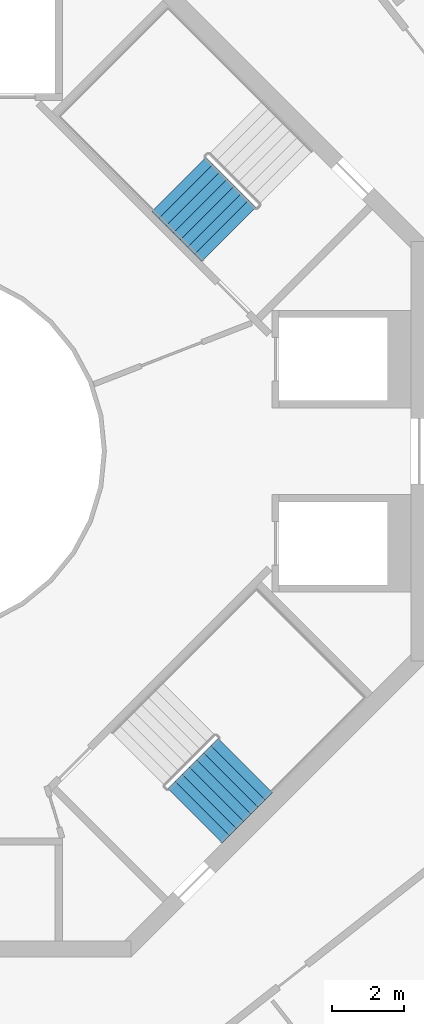
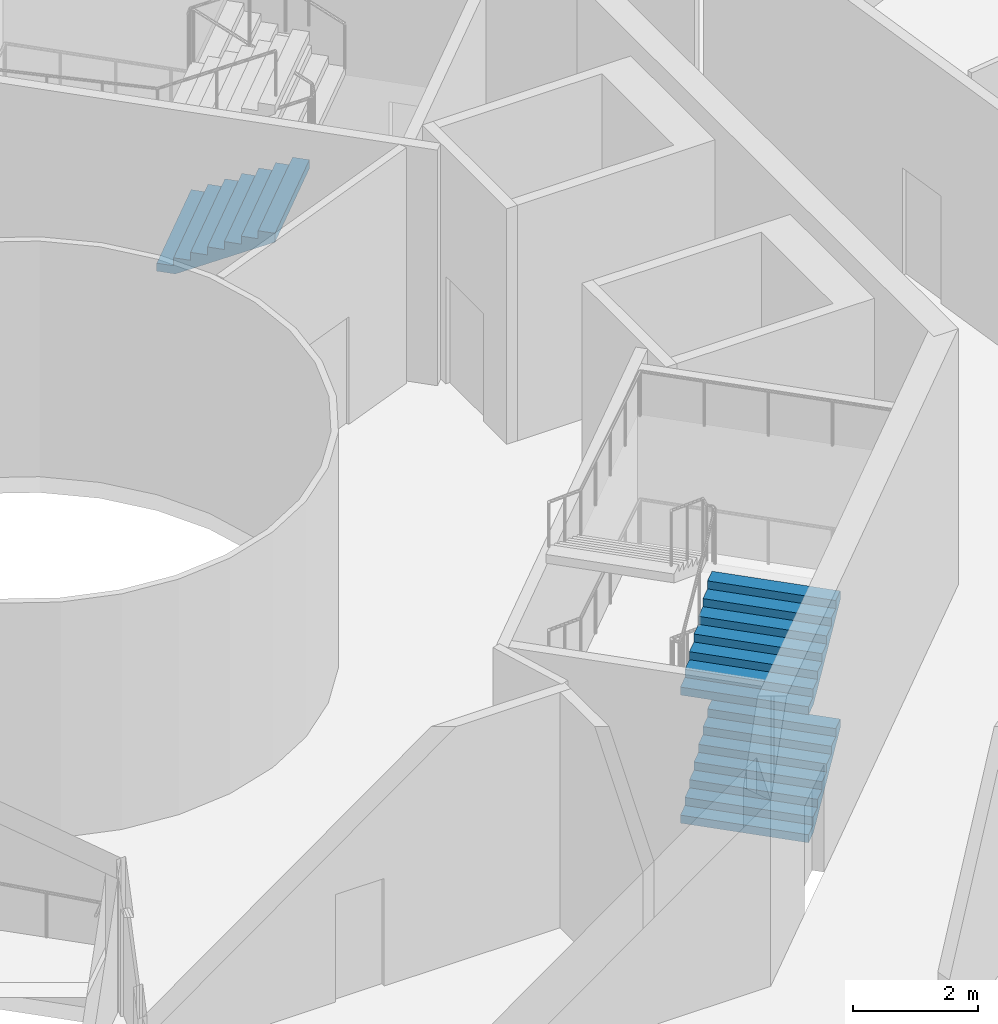
# One storey, part 16 of 19: 3 stair flights, 2 elements without a shape of their own.
"""IFC4 building model written with IfcOpenShell, lengths in metres."""

from ifc_helpers import new_model, si_unit, direction, frame, origin, place, context, subcontext, project, spatial, triangles, material, type_object, element, aggregate, save


model = new_model("IFC4")

# Units and contexts
model_context = context("Model", 3, precision=1e-05, world=origin(), true_north=direction((0.0, 1.0)))
body_context = subcontext(model_context, "Body", "Model", "MODEL_VIEW")
ifc_project = project(units=[si_unit("LENGTHUNIT", "METRE"), si_unit("AREAUNIT", "SQUARE_METRE"), si_unit("VOLUMEUNIT", "CUBIC_METRE"), si_unit("PLANEANGLEUNIT", "RADIAN"), si_unit("MASSUNIT", "GRAM", prefix="KILO")], contexts=[model_context])

# Site, building, storey
site_placement = place(None, origin())
site = spatial("IfcSite", under=ifc_project, at=site_placement, CompositionType="ELEMENT")
building_placement = place(site_placement, origin())
building = spatial("IfcBuilding", under=site, at=building_placement, Name="Verdalira Terraces Hotel", CompositionType="ELEMENT")
storey_placement = place(building_placement, frame((0.0, 0.0, 310.0)))
storey = spatial("IfcBuildingStorey", under=building, at=storey_placement, Name="L77", CompositionType="ELEMENT", Elevation=310.0)

# Stair, stair flight
ifc_material_1 = material(Name="Concrete C40", Category="concrete")
stair_type = type_object("IfcStairType", Name="Core stair 32 risers 2125 mm wide", PredefinedType="HALF_TURN_STAIR", material=ifc_material_1)
stair_1_placement = place(storey_placement, origin())
stair_1 = element("IfcStair", 1, at=stair_1_placement, inside=storey, type_object=stair_type, Name="L77 Exit stair ST1", PredefinedType="HALF_TURN_STAIR")
ifc_material_2 = material(Name="Concrete C40", Category="concrete")
stair_flight_type = type_object("IfcStairFlightType", Name="Core stair flight 32 risers 2125 mm wide", PredefinedType="STRAIGHT", material=ifc_material_2)
stair_flight_1_placement = place(storey_placement, frame((7.125977, 7.387451, 1.25), z_axis=(0.0, 0.0, 1.0), x_axis=(0.707106781, -0.707106781, 0.0)))
stair_flight_1 = element("IfcStairFlight", 2, at=stair_flight_1_placement, type_object=stair_flight_type, Name="ST1 flight 2", NumberOfRisers=8, NumberOfTreads=7, PredefinedType="STRAIGHT", RiserHeight=0.15625, TreadLength=0.28, context=body_context, shape_type="Tessellation", body=[
    triangles([(0.0, 1.0625, 0.0), (0.307617, 1.0625, 0.0), (1.959961, 1.0625, 0.922119), (0.0, -1.0625, 0.0), (0.307617, -1.0625, 0.0), (1.959961, -1.0625, 0.922119), (1.959961, 1.0625, 1.09375), (1.679932, 1.0625, 1.09375), (1.959961, -1.0625, 1.09375), (1.679932, -1.0625, 1.09375), (1.679932, 1.0625, 0.9375), (1.679932, -1.0625, 0.9375), (1.399902, 1.0625, 0.9375), (1.399902, -1.0625, 0.9375), (1.399902, 1.0625, 0.78125), (1.399902, -1.0625, 0.78125), (1.120117, 1.0625, 0.78125), (1.120117, 1.0625, 0.625), (1.120117, -1.0625, 0.78125), (1.120117, -1.0625, 0.625), (0.840088, 1.0625, 0.625), (0.840088, 1.0625, 0.46875), (0.840088, -1.0625, 0.625), (0.840088, -1.0625, 0.46875), (0.560059, 1.0625, 0.46875), (0.560059, 1.0625, 0.3125), (0.560059, -1.0625, 0.46875), (0.560059, -1.0625, 0.3125), (0.280029, 1.0625, 0.3125), (0.280029, 1.0625, 0.15625), (0.280029, -1.0625, 0.3125), (0.280029, -1.0625, 0.15625), (0.0, 1.0625, 0.15625), (0.0, -1.0625, 0.15625), (0.0, -0.996094, 0.0), (0.0, -0.996094, 0.15625), (0.0, -0.929688, 0.0), (0.0, -0.929688, 0.15625), (0.0, -0.863281, 0.0), (0.0, -0.863281, 0.15625), (0.0, -0.796875, 0.0), (0.0, -0.796875, 0.15625), (0.0, -0.730469, 0.0), (0.0, -0.730469, 0.15625), (0.0, -0.664062, 0.0), (0.0, -0.664062, 0.15625), (0.0, -0.597656, 0.0), (0.0, -0.597656, 0.15625), (0.0, -0.53125, 0.0), (0.0, -0.53125, 0.15625), (0.0, -0.464844, 0.0), (0.0, -0.464844, 0.15625), (0.0, -0.398438, 0.0), (0.0, -0.398438, 0.15625), (0.0, -0.332031, 0.0), (0.0, -0.332031, 0.15625), (0.0, -0.265625, 0.0), (0.0, -0.265625, 0.15625), (0.0, -0.199219, 0.0), (0.0, -0.199219, 0.15625), (0.0, -0.132812, 0.0), (0.0, -0.132812, 0.15625), (0.0, -0.066406, 0.0), (0.0, -0.066406, 0.15625), (0.0, 0.0, 0.0), (0.0, 0.0, 0.15625), (0.0, 0.066406, 0.0), (0.0, 0.066406, 0.15625), (0.0, 0.132812, 0.0), (0.0, 0.132812, 0.15625), (0.0, 0.199219, 0.0), (0.0, 0.199219, 0.15625), (0.0, 0.265625, 0.0), (0.0, 0.265625, 0.15625), (0.0, 0.332031, 0.0), (0.0, 0.332031, 0.15625), (0.0, 0.398438, 0.0), (0.0, 0.398438, 0.15625), (0.0, 0.464844, 0.0), (0.0, 0.464844, 0.15625), (0.0, 0.53125, 0.0), (0.0, 0.53125, 0.15625), (0.0, 0.597656, 0.0), (0.0, 0.597656, 0.15625), (0.0, 0.664062, 0.0), (0.0, 0.664062, 0.15625), (0.0, 0.730469, 0.0), (0.0, 0.730469, 0.15625), (0.0, 0.796875, 0.0), (0.0, 0.796875, 0.15625), (0.0, 0.863281, 0.0), (0.0, 0.863281, 0.15625), (0.0, 0.929688, 0.0), (0.0, 0.929688, 0.15625), (0.0, 0.996094, 0.0), (0.0, 0.996094, 0.15625), (1.959961, -0.996094, 1.09375), (1.959961, -0.929688, 1.09375), (1.959961, -0.863281, 1.09375), (1.959961, -0.796875, 1.09375), (1.959961, -0.730469, 1.09375), (1.959961, -0.664062, 1.09375), (1.959961, -0.597656, 1.09375), (1.959961, -0.53125, 1.09375), (1.959961, -0.464844, 1.09375), (1.959961, -0.398438, 1.09375), (1.959961, -0.332031, 1.09375), (1.959961, -0.265625, 1.09375), (1.959961, -0.199219, 1.09375), (1.959961, -0.132812, 1.09375), (1.959961, -0.066406, 1.09375), (1.959961, 0.0, 1.09375), (1.959961, 0.066406, 1.09375), (1.959961, 0.132812, 1.09375), (1.959961, 0.199219, 1.09375), (1.959961, 0.265625, 1.09375), (1.959961, 0.332031, 1.09375), (1.959961, 0.398438, 1.09375), (1.959961, 0.464844, 1.09375), (1.959961, 0.53125, 1.09375), (1.959961, 0.597656, 1.09375), (1.959961, 0.664062, 1.09375), (1.959961, 0.730469, 1.09375), (1.959961, 0.796875, 1.09375), (1.959961, 0.863281, 1.09375), (1.959961, 0.929688, 1.09375), (1.959961, 0.996094, 1.09375), (1.959961, -0.996094, 0.922119), (1.959961, -0.929688, 0.922119), (1.959961, -0.863281, 0.922119), (1.959961, -0.796875, 0.922119), (1.959961, -0.730469, 0.922119), (1.959961, -0.664062, 0.922119), (1.959961, -0.597656, 0.922119), (1.959961, -0.53125, 0.922119), (1.959961, -0.464844, 0.922119), (1.959961, -0.398438, 0.922119), (1.959961, -0.332031, 0.922119), (1.959961, -0.265625, 0.922119), (1.959961, -0.199219, 0.922119), (1.959961, -0.132812, 0.922119), (1.959961, -0.066406, 0.922119), (1.959961, 0.0, 0.922119), (1.959961, 0.066406, 0.922119), (1.959961, 0.132812, 0.922119), (1.959961, 0.199219, 0.922119), (1.959961, 0.265625, 0.922119), (1.959961, 0.332031, 0.922119), (1.959961, 0.398438, 0.922119), (1.959961, 0.464844, 0.922119), (1.959961, 0.53125, 0.922119), (1.959961, 0.597656, 0.922119), (1.959961, 0.664062, 0.922119), (1.959961, 0.730469, 0.922119), (1.959961, 0.796875, 0.922119), (1.959961, 0.863281, 0.922119), (1.959961, 0.929688, 0.922119), (1.959961, 0.996094, 0.922119)], [[1, 3, 2], [4, 5, 6], [3, 8, 7], [6, 9, 10], [3, 11, 8], [6, 10, 12], [3, 13, 11], [6, 12, 14], [3, 15, 13], [6, 14, 16], [15, 18, 17], [16, 19, 20], [3, 18, 15], [6, 16, 20], [18, 22, 21], [20, 23, 24], [3, 22, 18], [6, 20, 24], [22, 26, 25], [24, 27, 28], [3, 26, 22], [6, 24, 28], [26, 30, 29], [28, 31, 32], [3, 30, 26], [6, 28, 32], [1, 30, 3], [4, 6, 32], [30, 1, 33], [32, 34, 4], [4, 36, 35], [4, 34, 36], [35, 38, 37], [35, 36, 38], [37, 40, 39], [37, 38, 40], [39, 42, 41], [39, 40, 42], [41, 44, 43], [41, 42, 44], [43, 46, 45], [43, 44, 46], [45, 48, 47], [45, 46, 48], [47, 50, 49], [47, 48, 50], [49, 52, 51], [49, 50, 52], [51, 54, 53], [51, 52, 54], [53, 56, 55], [53, 54, 56], [55, 58, 57], [55, 56, 58], [57, 60, 59], [57, 58, 60], [59, 62, 61], [59, 60, 62], [61, 64, 63], [61, 62, 64], [63, 66, 65], [63, 64, 66], [65, 68, 67], [65, 66, 68], [67, 70, 69], [67, 68, 70], [69, 72, 71], [69, 70, 72], [71, 74, 73], [71, 72, 74], [73, 76, 75], [73, 74, 76], [75, 78, 77], [75, 76, 78], [77, 80, 79], [77, 78, 80], [79, 82, 81], [79, 80, 82], [81, 84, 83], [81, 82, 84], [83, 86, 85], [83, 84, 86], [85, 88, 87], [85, 86, 88], [87, 90, 89], [87, 88, 90], [89, 92, 91], [89, 90, 92], [91, 94, 93], [91, 92, 94], [93, 96, 95], [93, 94, 96], [95, 33, 1], [95, 96, 33], [34, 32, 36], [36, 32, 38], [38, 32, 40], [40, 32, 42], [42, 32, 44], [44, 32, 46], [46, 32, 48], [48, 32, 50], [50, 32, 52], [52, 32, 54], [54, 32, 56], [56, 32, 58], [58, 32, 60], [60, 32, 62], [62, 32, 64], [64, 32, 66], [66, 32, 68], [68, 32, 70], [70, 32, 72], [72, 32, 74], [74, 32, 76], [76, 32, 78], [78, 32, 80], [80, 32, 82], [82, 32, 84], [84, 32, 86], [86, 32, 88], [88, 32, 90], [90, 32, 92], [92, 32, 94], [94, 32, 96], [96, 32, 33], [33, 32, 30], [32, 29, 30], [32, 31, 29], [31, 26, 29], [31, 28, 26], [28, 25, 26], [28, 27, 25], [27, 22, 25], [27, 24, 22], [24, 21, 22], [24, 23, 21], [23, 18, 21], [23, 20, 18], [20, 17, 18], [20, 19, 17], [19, 15, 17], [19, 16, 15], [16, 13, 15], [16, 14, 13], [14, 11, 13], [14, 12, 11], [12, 8, 11], [12, 10, 8], [9, 97, 10], [97, 98, 10], [98, 99, 10], [99, 100, 10], [100, 101, 10], [101, 102, 10], [102, 103, 10], [103, 104, 10], [104, 105, 10], [105, 106, 10], [106, 107, 10], [107, 108, 10], [108, 109, 10], [109, 110, 10], [110, 111, 10], [111, 112, 10], [112, 113, 10], [113, 114, 10], [114, 115, 10], [115, 116, 10], [116, 117, 10], [117, 118, 10], [118, 119, 10], [119, 120, 10], [120, 121, 10], [121, 122, 10], [122, 123, 10], [123, 124, 10], [124, 125, 10], [125, 126, 10], [126, 127, 10], [127, 7, 10], [7, 8, 10], [9, 128, 97], [9, 6, 128], [97, 129, 98], [97, 128, 129], [98, 130, 99], [98, 129, 130], [99, 131, 100], [99, 130, 131], [100, 132, 101], [100, 131, 132], [101, 133, 102], [101, 132, 133], [102, 134, 103], [102, 133, 134], [103, 135, 104], [103, 134, 135], [104, 136, 105], [104, 135, 136], [105, 137, 106], [105, 136, 137], [106, 138, 107], [106, 137, 138], [107, 139, 108], [107, 138, 139], [108, 140, 109], [108, 139, 140], [109, 141, 110], [109, 140, 141], [110, 142, 111], [110, 141, 142], [111, 143, 112], [111, 142, 143], [112, 144, 113], [112, 143, 144], [113, 145, 114], [113, 144, 145], [114, 146, 115], [114, 145, 146], [115, 147, 116], [115, 146, 147], [116, 148, 117], [116, 147, 148], [117, 149, 118], [117, 148, 149], [118, 150, 119], [118, 149, 150], [119, 151, 120], [119, 150, 151], [120, 152, 121], [120, 151, 152], [121, 153, 122], [121, 152, 153], [122, 154, 123], [122, 153, 154], [123, 155, 124], [123, 154, 155], [124, 156, 125], [124, 155, 156], [125, 157, 126], [125, 156, 157], [126, 158, 127], [126, 157, 158], [127, 3, 7], [127, 158, 3], [6, 5, 128], [128, 5, 129], [129, 5, 130], [130, 5, 131], [131, 5, 132], [132, 5, 133], [133, 5, 134], [134, 5, 135], [135, 5, 136], [136, 5, 137], [137, 5, 138], [138, 5, 139], [139, 5, 140], [140, 5, 141], [141, 5, 142], [142, 5, 143], [143, 5, 144], [144, 5, 145], [145, 5, 146], [146, 5, 147], [147, 5, 148], [148, 5, 149], [149, 5, 150], [150, 5, 151], [151, 5, 152], [152, 5, 153], [153, 5, 154], [154, 5, 155], [155, 5, 156], [156, 5, 157], [157, 5, 158], [158, 5, 3], [3, 5, 2], [4, 35, 5], [35, 37, 5], [37, 39, 5], [39, 41, 5], [41, 43, 5], [43, 45, 5], [45, 47, 5], [47, 49, 5], [49, 51, 5], [51, 53, 5], [53, 55, 5], [55, 57, 5], [57, 59, 5], [59, 61, 5], [61, 63, 5], [63, 65, 5], [65, 67, 5], [67, 69, 5], [69, 71, 5], [71, 73, 5], [73, 75, 5], [75, 77, 5], [77, 79, 5], [79, 81, 5], [81, 83, 5], [83, 85, 5], [85, 87, 5], [87, 89, 5], [89, 91, 5], [91, 93, 5], [93, 95, 5], [95, 1, 5], [1, 2, 5]], closed=True),
])
aggregate(stair_1, [stair_flight_1])

# Stair, stair flights
stair_2_placement = place(storey_placement, origin())
stair_2 = element("IfcStair", 3, at=stair_2_placement, inside=storey, type_object=stair_type, Name="L77 Exit stair ST3", PredefinedType="HALF_TURN_STAIR")
stair_flight_2_placement = place(storey_placement, frame((7.574951, -10.085205, 0.0), z_axis=(0.0, 0.0, 1.0), x_axis=(0.707106781, 0.707106781, 0.0)))
stair_flight_2 = element("IfcStairFlight", 4, at=stair_flight_2_placement, type_object=stair_flight_type, Name="ST3 flight 1", NumberOfRisers=8, NumberOfTreads=7, PredefinedType="STRAIGHT", RiserHeight=0.15625, TreadLength=0.28, context=body_context, shape_type="Tessellation", body=[
    triangles([(0.0, 1.0625, 0.0), (0.307617, 1.0625, 0.0), (1.959961, 1.0625, 0.922119), (0.0, -1.0625, 0.0), (0.307617, -1.0625, 0.0), (1.959961, -1.0625, 0.922119), (1.959961, 1.0625, 1.09375), (1.679932, 1.0625, 1.09375), (1.959961, -1.0625, 1.09375), (1.679932, -1.0625, 1.09375), (1.679932, 1.0625, 0.9375), (1.679932, -1.0625, 0.9375), (1.399902, 1.0625, 0.9375), (1.399902, -1.0625, 0.9375), (1.399902, 1.0625, 0.78125), (1.399902, -1.0625, 0.78125), (1.120117, 1.0625, 0.78125), (1.120117, 1.0625, 0.625), (1.120117, -1.0625, 0.78125), (1.120117, -1.0625, 0.625), (0.840088, 1.0625, 0.625), (0.840088, 1.0625, 0.46875), (0.840088, -1.0625, 0.625), (0.840088, -1.0625, 0.46875), (0.560059, 1.0625, 0.46875), (0.560059, 1.0625, 0.3125), (0.560059, -1.0625, 0.46875), (0.560059, -1.0625, 0.3125), (0.280029, 1.0625, 0.3125), (0.280029, 1.0625, 0.15625), (0.280029, -1.0625, 0.3125), (0.280029, -1.0625, 0.15625), (0.0, 1.0625, 0.15625), (0.0, -1.0625, 0.15625), (0.0, -0.996094, 0.0), (0.0, -0.996094, 0.15625), (0.0, -0.929688, 0.0), (0.0, -0.929688, 0.15625), (0.0, -0.863281, 0.0), (0.0, -0.863281, 0.15625), (0.0, -0.796875, 0.0), (0.0, -0.796875, 0.15625), (0.0, -0.730469, 0.0), (0.0, -0.730469, 0.15625), (0.0, -0.664062, 0.0), (0.0, -0.664062, 0.15625), (0.0, -0.597656, 0.0), (0.0, -0.597656, 0.15625), (0.0, -0.53125, 0.0), (0.0, -0.53125, 0.15625), (0.0, -0.464844, 0.0), (0.0, -0.464844, 0.15625), (0.0, -0.398438, 0.0), (0.0, -0.398438, 0.15625), (0.0, -0.332031, 0.0), (0.0, -0.332031, 0.15625), (0.0, -0.265625, 0.0), (0.0, -0.265625, 0.15625), (0.0, -0.199219, 0.0), (0.0, -0.199219, 0.15625), (0.0, -0.132812, 0.0), (0.0, -0.132812, 0.15625), (0.0, -0.066406, 0.0), (0.0, -0.066406, 0.15625), (0.0, 0.0, 0.0), (0.0, 0.0, 0.15625), (0.0, 0.066406, 0.0), (0.0, 0.066406, 0.15625), (0.0, 0.132812, 0.0), (0.0, 0.132812, 0.15625), (0.0, 0.199219, 0.0), (0.0, 0.199219, 0.15625), (0.0, 0.265625, 0.0), (0.0, 0.265625, 0.15625), (0.0, 0.332031, 0.0), (0.0, 0.332031, 0.15625), (0.0, 0.398438, 0.0), (0.0, 0.398438, 0.15625), (0.0, 0.464844, 0.0), (0.0, 0.464844, 0.15625), (0.0, 0.53125, 0.0), (0.0, 0.53125, 0.15625), (0.0, 0.597656, 0.0), (0.0, 0.597656, 0.15625), (0.0, 0.664062, 0.0), (0.0, 0.664062, 0.15625), (0.0, 0.730469, 0.0), (0.0, 0.730469, 0.15625), (0.0, 0.796875, 0.0), (0.0, 0.796875, 0.15625), (0.0, 0.863281, 0.0), (0.0, 0.863281, 0.15625), (0.0, 0.929688, 0.0), (0.0, 0.929688, 0.15625), (0.0, 0.996094, 0.0), (0.0, 0.996094, 0.15625), (1.959961, -0.996094, 1.09375), (1.959961, -0.929688, 1.09375), (1.959961, -0.863281, 1.09375), (1.959961, -0.796875, 1.09375), (1.959961, -0.730469, 1.09375), (1.959961, -0.664062, 1.09375), (1.959961, -0.597656, 1.09375), (1.959961, -0.53125, 1.09375), (1.959961, -0.464844, 1.09375), (1.959961, -0.398438, 1.09375), (1.959961, -0.332031, 1.09375), (1.959961, -0.265625, 1.09375), (1.959961, -0.199219, 1.09375), (1.959961, -0.132812, 1.09375), (1.959961, -0.066406, 1.09375), (1.959961, 0.0, 1.09375), (1.959961, 0.066406, 1.09375), (1.959961, 0.132812, 1.09375), (1.959961, 0.199219, 1.09375), (1.959961, 0.265625, 1.09375), (1.959961, 0.332031, 1.09375), (1.959961, 0.398438, 1.09375), (1.959961, 0.464844, 1.09375), (1.959961, 0.53125, 1.09375), (1.959961, 0.597656, 1.09375), (1.959961, 0.664062, 1.09375), (1.959961, 0.730469, 1.09375), (1.959961, 0.796875, 1.09375), (1.959961, 0.863281, 1.09375), (1.959961, 0.929688, 1.09375), (1.959961, 0.996094, 1.09375), (1.959961, -0.996094, 0.922119), (1.959961, -0.929688, 0.922119), (1.959961, -0.863281, 0.922119), (1.959961, -0.796875, 0.922119), (1.959961, -0.730469, 0.922119), (1.959961, -0.664062, 0.922119), (1.959961, -0.597656, 0.922119), (1.959961, -0.53125, 0.922119), (1.959961, -0.464844, 0.922119), (1.959961, -0.398438, 0.922119), (1.959961, -0.332031, 0.922119), (1.959961, -0.265625, 0.922119), (1.959961, -0.199219, 0.922119), (1.959961, -0.132812, 0.922119), (1.959961, -0.066406, 0.922119), (1.959961, 0.0, 0.922119), (1.959961, 0.066406, 0.922119), (1.959961, 0.132812, 0.922119), (1.959961, 0.199219, 0.922119), (1.959961, 0.265625, 0.922119), (1.959961, 0.332031, 0.922119), (1.959961, 0.398438, 0.922119), (1.959961, 0.464844, 0.922119), (1.959961, 0.53125, 0.922119), (1.959961, 0.597656, 0.922119), (1.959961, 0.664062, 0.922119), (1.959961, 0.730469, 0.922119), (1.959961, 0.796875, 0.922119), (1.959961, 0.863281, 0.922119), (1.959961, 0.929688, 0.922119), (1.959961, 0.996094, 0.922119)], [[1, 3, 2], [4, 5, 6], [3, 8, 7], [6, 9, 10], [3, 11, 8], [6, 10, 12], [3, 13, 11], [6, 12, 14], [3, 15, 13], [6, 14, 16], [15, 18, 17], [16, 19, 20], [3, 18, 15], [6, 16, 20], [18, 22, 21], [20, 23, 24], [3, 22, 18], [6, 20, 24], [22, 26, 25], [24, 27, 28], [3, 26, 22], [6, 24, 28], [26, 30, 29], [28, 31, 32], [3, 30, 26], [6, 28, 32], [1, 30, 3], [4, 6, 32], [30, 1, 33], [32, 34, 4], [4, 36, 35], [4, 34, 36], [35, 38, 37], [35, 36, 38], [37, 40, 39], [37, 38, 40], [39, 42, 41], [39, 40, 42], [41, 44, 43], [41, 42, 44], [43, 46, 45], [43, 44, 46], [45, 48, 47], [45, 46, 48], [47, 50, 49], [47, 48, 50], [49, 52, 51], [49, 50, 52], [51, 54, 53], [51, 52, 54], [53, 56, 55], [53, 54, 56], [55, 58, 57], [55, 56, 58], [57, 60, 59], [57, 58, 60], [59, 62, 61], [59, 60, 62], [61, 64, 63], [61, 62, 64], [63, 66, 65], [63, 64, 66], [65, 68, 67], [65, 66, 68], [67, 70, 69], [67, 68, 70], [69, 72, 71], [69, 70, 72], [71, 74, 73], [71, 72, 74], [73, 76, 75], [73, 74, 76], [75, 78, 77], [75, 76, 78], [77, 80, 79], [77, 78, 80], [79, 82, 81], [79, 80, 82], [81, 84, 83], [81, 82, 84], [83, 86, 85], [83, 84, 86], [85, 88, 87], [85, 86, 88], [87, 90, 89], [87, 88, 90], [89, 92, 91], [89, 90, 92], [91, 94, 93], [91, 92, 94], [93, 96, 95], [93, 94, 96], [95, 33, 1], [95, 96, 33], [34, 32, 36], [36, 32, 38], [38, 32, 40], [40, 32, 42], [42, 32, 44], [44, 32, 46], [46, 32, 48], [48, 32, 50], [50, 32, 52], [52, 32, 54], [54, 32, 56], [56, 32, 58], [58, 32, 60], [60, 32, 62], [62, 32, 64], [64, 32, 66], [66, 32, 68], [68, 32, 70], [70, 32, 72], [72, 32, 74], [74, 32, 76], [76, 32, 78], [78, 32, 80], [80, 32, 82], [82, 32, 84], [84, 32, 86], [86, 32, 88], [88, 32, 90], [90, 32, 92], [92, 32, 94], [94, 32, 96], [96, 32, 33], [33, 32, 30], [32, 29, 30], [32, 31, 29], [31, 26, 29], [31, 28, 26], [28, 25, 26], [28, 27, 25], [27, 22, 25], [27, 24, 22], [24, 21, 22], [24, 23, 21], [23, 18, 21], [23, 20, 18], [20, 17, 18], [20, 19, 17], [19, 15, 17], [19, 16, 15], [16, 13, 15], [16, 14, 13], [14, 11, 13], [14, 12, 11], [12, 8, 11], [12, 10, 8], [9, 97, 10], [97, 98, 10], [98, 99, 10], [99, 100, 10], [100, 101, 10], [101, 102, 10], [102, 103, 10], [103, 104, 10], [104, 105, 10], [105, 106, 10], [106, 107, 10], [107, 108, 10], [108, 109, 10], [109, 110, 10], [110, 111, 10], [111, 112, 10], [112, 113, 10], [113, 114, 10], [114, 115, 10], [115, 116, 10], [116, 117, 10], [117, 118, 10], [118, 119, 10], [119, 120, 10], [120, 121, 10], [121, 122, 10], [122, 123, 10], [123, 124, 10], [124, 125, 10], [125, 126, 10], [126, 127, 10], [127, 7, 10], [7, 8, 10], [9, 128, 97], [9, 6, 128], [97, 129, 98], [97, 128, 129], [98, 130, 99], [98, 129, 130], [99, 131, 100], [99, 130, 131], [100, 132, 101], [100, 131, 132], [101, 133, 102], [101, 132, 133], [102, 134, 103], [102, 133, 134], [103, 135, 104], [103, 134, 135], [104, 136, 105], [104, 135, 136], [105, 137, 106], [105, 136, 137], [106, 138, 107], [106, 137, 138], [107, 139, 108], [107, 138, 139], [108, 140, 109], [108, 139, 140], [109, 141, 110], [109, 140, 141], [110, 142, 111], [110, 141, 142], [111, 143, 112], [111, 142, 143], [112, 144, 113], [112, 143, 144], [113, 145, 114], [113, 144, 145], [114, 146, 115], [114, 145, 146], [115, 147, 116], [115, 146, 147], [116, 148, 117], [116, 147, 148], [117, 149, 118], [117, 148, 149], [118, 150, 119], [118, 149, 150], [119, 151, 120], [119, 150, 151], [120, 152, 121], [120, 151, 152], [121, 153, 122], [121, 152, 153], [122, 154, 123], [122, 153, 154], [123, 155, 124], [123, 154, 155], [124, 156, 125], [124, 155, 156], [125, 157, 126], [125, 156, 157], [126, 158, 127], [126, 157, 158], [127, 3, 7], [127, 158, 3], [6, 5, 128], [128, 5, 129], [129, 5, 130], [130, 5, 131], [131, 5, 132], [132, 5, 133], [133, 5, 134], [134, 5, 135], [135, 5, 136], [136, 5, 137], [137, 5, 138], [138, 5, 139], [139, 5, 140], [140, 5, 141], [141, 5, 142], [142, 5, 143], [143, 5, 144], [144, 5, 145], [145, 5, 146], [146, 5, 147], [147, 5, 148], [148, 5, 149], [149, 5, 150], [150, 5, 151], [151, 5, 152], [152, 5, 153], [153, 5, 154], [154, 5, 155], [155, 5, 156], [156, 5, 157], [157, 5, 158], [158, 5, 3], [3, 5, 2], [4, 35, 5], [35, 37, 5], [37, 39, 5], [39, 41, 5], [41, 43, 5], [43, 45, 5], [45, 47, 5], [47, 49, 5], [49, 51, 5], [51, 53, 5], [53, 55, 5], [55, 57, 5], [57, 59, 5], [59, 61, 5], [61, 63, 5], [63, 65, 5], [65, 67, 5], [67, 69, 5], [69, 71, 5], [71, 73, 5], [73, 75, 5], [75, 77, 5], [77, 79, 5], [79, 81, 5], [81, 83, 5], [83, 85, 5], [85, 87, 5], [87, 89, 5], [89, 91, 5], [91, 93, 5], [93, 95, 5], [95, 1, 5], [1, 2, 5]], closed=True),
])
stair_flight_3_placement = place(storey_placement, frame((7.574951, -10.085205, 2.5), z_axis=(0.0, 0.0, 1.0), x_axis=(0.707106781, 0.707106781, 0.0)))
stair_flight_3 = element("IfcStairFlight", 5, at=stair_flight_3_placement, type_object=stair_flight_type, Name="ST3 flight 3", NumberOfRisers=8, NumberOfTreads=7, PredefinedType="STRAIGHT", RiserHeight=0.15625, TreadLength=0.28, context=body_context, shape_type="Tessellation", body=[
    triangles([(0.0, 1.0625, 0.0), (0.307617, 1.0625, 0.0), (1.959961, 1.0625, 0.922119), (0.0, -1.0625, 0.0), (0.307617, -1.0625, 0.0), (1.959961, -1.0625, 0.922119), (1.959961, 1.0625, 1.09375), (1.679932, 1.0625, 1.09375), (1.959961, -1.0625, 1.09375), (1.679932, -1.0625, 1.09375), (1.679932, 1.0625, 0.9375), (1.679932, -1.0625, 0.9375), (1.399902, 1.0625, 0.9375), (1.399902, -1.0625, 0.9375), (1.399902, 1.0625, 0.78125), (1.399902, -1.0625, 0.78125), (1.120117, 1.0625, 0.78125), (1.120117, 1.0625, 0.625), (1.120117, -1.0625, 0.78125), (1.120117, -1.0625, 0.625), (0.840088, 1.0625, 0.625), (0.840088, 1.0625, 0.46875), (0.840088, -1.0625, 0.625), (0.840088, -1.0625, 0.46875), (0.560059, 1.0625, 0.46875), (0.560059, 1.0625, 0.3125), (0.560059, -1.0625, 0.46875), (0.560059, -1.0625, 0.3125), (0.280029, 1.0625, 0.3125), (0.280029, 1.0625, 0.15625), (0.280029, -1.0625, 0.3125), (0.280029, -1.0625, 0.15625), (0.0, 1.0625, 0.15625), (0.0, -1.0625, 0.15625), (0.0, -0.996094, 0.0), (0.0, -0.996094, 0.15625), (0.0, -0.929688, 0.0), (0.0, -0.929688, 0.15625), (0.0, -0.863281, 0.0), (0.0, -0.863281, 0.15625), (0.0, -0.796875, 0.0), (0.0, -0.796875, 0.15625), (0.0, -0.730469, 0.0), (0.0, -0.730469, 0.15625), (0.0, -0.664062, 0.0), (0.0, -0.664062, 0.15625), (0.0, -0.597656, 0.0), (0.0, -0.597656, 0.15625), (0.0, -0.53125, 0.0), (0.0, -0.53125, 0.15625), (0.0, -0.464844, 0.0), (0.0, -0.464844, 0.15625), (0.0, -0.398438, 0.0), (0.0, -0.398438, 0.15625), (0.0, -0.332031, 0.0), (0.0, -0.332031, 0.15625), (0.0, -0.265625, 0.0), (0.0, -0.265625, 0.15625), (0.0, -0.199219, 0.0), (0.0, -0.199219, 0.15625), (0.0, -0.132812, 0.0), (0.0, -0.132812, 0.15625), (0.0, -0.066406, 0.0), (0.0, -0.066406, 0.15625), (0.0, 0.0, 0.0), (0.0, 0.0, 0.15625), (0.0, 0.066406, 0.0), (0.0, 0.066406, 0.15625), (0.0, 0.132812, 0.0), (0.0, 0.132812, 0.15625), (0.0, 0.199219, 0.0), (0.0, 0.199219, 0.15625), (0.0, 0.265625, 0.0), (0.0, 0.265625, 0.15625), (0.0, 0.332031, 0.0), (0.0, 0.332031, 0.15625), (0.0, 0.398438, 0.0), (0.0, 0.398438, 0.15625), (0.0, 0.464844, 0.0), (0.0, 0.464844, 0.15625), (0.0, 0.53125, 0.0), (0.0, 0.53125, 0.15625), (0.0, 0.597656, 0.0), (0.0, 0.597656, 0.15625), (0.0, 0.664062, 0.0), (0.0, 0.664062, 0.15625), (0.0, 0.730469, 0.0), (0.0, 0.730469, 0.15625), (0.0, 0.796875, 0.0), (0.0, 0.796875, 0.15625), (0.0, 0.863281, 0.0), (0.0, 0.863281, 0.15625), (0.0, 0.929688, 0.0), (0.0, 0.929688, 0.15625), (0.0, 0.996094, 0.0), (0.0, 0.996094, 0.15625), (1.959961, -0.996094, 1.09375), (1.959961, -0.929688, 1.09375), (1.959961, -0.863281, 1.09375), (1.959961, -0.796875, 1.09375), (1.959961, -0.730469, 1.09375), (1.959961, -0.664062, 1.09375), (1.959961, -0.597656, 1.09375), (1.959961, -0.53125, 1.09375), (1.959961, -0.464844, 1.09375), (1.959961, -0.398438, 1.09375), (1.959961, -0.332031, 1.09375), (1.959961, -0.265625, 1.09375), (1.959961, -0.199219, 1.09375), (1.959961, -0.132812, 1.09375), (1.959961, -0.066406, 1.09375), (1.959961, 0.0, 1.09375), (1.959961, 0.066406, 1.09375), (1.959961, 0.132812, 1.09375), (1.959961, 0.199219, 1.09375), (1.959961, 0.265625, 1.09375), (1.959961, 0.332031, 1.09375), (1.959961, 0.398438, 1.09375), (1.959961, 0.464844, 1.09375), (1.959961, 0.53125, 1.09375), (1.959961, 0.597656, 1.09375), (1.959961, 0.664062, 1.09375), (1.959961, 0.730469, 1.09375), (1.959961, 0.796875, 1.09375), (1.959961, 0.863281, 1.09375), (1.959961, 0.929688, 1.09375), (1.959961, 0.996094, 1.09375), (1.959961, -0.996094, 0.922119), (1.959961, -0.929688, 0.922119), (1.959961, -0.863281, 0.922119), (1.959961, -0.796875, 0.922119), (1.959961, -0.730469, 0.922119), (1.959961, -0.664062, 0.922119), (1.959961, -0.597656, 0.922119), (1.959961, -0.53125, 0.922119), (1.959961, -0.464844, 0.922119), (1.959961, -0.398438, 0.922119), (1.959961, -0.332031, 0.922119), (1.959961, -0.265625, 0.922119), (1.959961, -0.199219, 0.922119), (1.959961, -0.132812, 0.922119), (1.959961, -0.066406, 0.922119), (1.959961, 0.0, 0.922119), (1.959961, 0.066406, 0.922119), (1.959961, 0.132812, 0.922119), (1.959961, 0.199219, 0.922119), (1.959961, 0.265625, 0.922119), (1.959961, 0.332031, 0.922119), (1.959961, 0.398438, 0.922119), (1.959961, 0.464844, 0.922119), (1.959961, 0.53125, 0.922119), (1.959961, 0.597656, 0.922119), (1.959961, 0.664062, 0.922119), (1.959961, 0.730469, 0.922119), (1.959961, 0.796875, 0.922119), (1.959961, 0.863281, 0.922119), (1.959961, 0.929688, 0.922119), (1.959961, 0.996094, 0.922119)], [[1, 3, 2], [4, 5, 6], [3, 8, 7], [6, 9, 10], [3, 11, 8], [6, 10, 12], [3, 13, 11], [6, 12, 14], [3, 15, 13], [6, 14, 16], [15, 18, 17], [16, 19, 20], [3, 18, 15], [6, 16, 20], [18, 22, 21], [20, 23, 24], [3, 22, 18], [6, 20, 24], [22, 26, 25], [24, 27, 28], [3, 26, 22], [6, 24, 28], [26, 30, 29], [28, 31, 32], [3, 30, 26], [6, 28, 32], [1, 30, 3], [4, 6, 32], [30, 1, 33], [32, 34, 4], [4, 36, 35], [4, 34, 36], [35, 38, 37], [35, 36, 38], [37, 40, 39], [37, 38, 40], [39, 42, 41], [39, 40, 42], [41, 44, 43], [41, 42, 44], [43, 46, 45], [43, 44, 46], [45, 48, 47], [45, 46, 48], [47, 50, 49], [47, 48, 50], [49, 52, 51], [49, 50, 52], [51, 54, 53], [51, 52, 54], [53, 56, 55], [53, 54, 56], [55, 58, 57], [55, 56, 58], [57, 60, 59], [57, 58, 60], [59, 62, 61], [59, 60, 62], [61, 64, 63], [61, 62, 64], [63, 66, 65], [63, 64, 66], [65, 68, 67], [65, 66, 68], [67, 70, 69], [67, 68, 70], [69, 72, 71], [69, 70, 72], [71, 74, 73], [71, 72, 74], [73, 76, 75], [73, 74, 76], [75, 78, 77], [75, 76, 78], [77, 80, 79], [77, 78, 80], [79, 82, 81], [79, 80, 82], [81, 84, 83], [81, 82, 84], [83, 86, 85], [83, 84, 86], [85, 88, 87], [85, 86, 88], [87, 90, 89], [87, 88, 90], [89, 92, 91], [89, 90, 92], [91, 94, 93], [91, 92, 94], [93, 96, 95], [93, 94, 96], [95, 33, 1], [95, 96, 33], [34, 32, 36], [36, 32, 38], [38, 32, 40], [40, 32, 42], [42, 32, 44], [44, 32, 46], [46, 32, 48], [48, 32, 50], [50, 32, 52], [52, 32, 54], [54, 32, 56], [56, 32, 58], [58, 32, 60], [60, 32, 62], [62, 32, 64], [64, 32, 66], [66, 32, 68], [68, 32, 70], [70, 32, 72], [72, 32, 74], [74, 32, 76], [76, 32, 78], [78, 32, 80], [80, 32, 82], [82, 32, 84], [84, 32, 86], [86, 32, 88], [88, 32, 90], [90, 32, 92], [92, 32, 94], [94, 32, 96], [96, 32, 33], [33, 32, 30], [32, 29, 30], [32, 31, 29], [31, 26, 29], [31, 28, 26], [28, 25, 26], [28, 27, 25], [27, 22, 25], [27, 24, 22], [24, 21, 22], [24, 23, 21], [23, 18, 21], [23, 20, 18], [20, 17, 18], [20, 19, 17], [19, 15, 17], [19, 16, 15], [16, 13, 15], [16, 14, 13], [14, 11, 13], [14, 12, 11], [12, 8, 11], [12, 10, 8], [9, 97, 10], [97, 98, 10], [98, 99, 10], [99, 100, 10], [100, 101, 10], [101, 102, 10], [102, 103, 10], [103, 104, 10], [104, 105, 10], [105, 106, 10], [106, 107, 10], [107, 108, 10], [108, 109, 10], [109, 110, 10], [110, 111, 10], [111, 112, 10], [112, 113, 10], [113, 114, 10], [114, 115, 10], [115, 116, 10], [116, 117, 10], [117, 118, 10], [118, 119, 10], [119, 120, 10], [120, 121, 10], [121, 122, 10], [122, 123, 10], [123, 124, 10], [124, 125, 10], [125, 126, 10], [126, 127, 10], [127, 7, 10], [7, 8, 10], [9, 128, 97], [9, 6, 128], [97, 129, 98], [97, 128, 129], [98, 130, 99], [98, 129, 130], [99, 131, 100], [99, 130, 131], [100, 132, 101], [100, 131, 132], [101, 133, 102], [101, 132, 133], [102, 134, 103], [102, 133, 134], [103, 135, 104], [103, 134, 135], [104, 136, 105], [104, 135, 136], [105, 137, 106], [105, 136, 137], [106, 138, 107], [106, 137, 138], [107, 139, 108], [107, 138, 139], [108, 140, 109], [108, 139, 140], [109, 141, 110], [109, 140, 141], [110, 142, 111], [110, 141, 142], [111, 143, 112], [111, 142, 143], [112, 144, 113], [112, 143, 144], [113, 145, 114], [113, 144, 145], [114, 146, 115], [114, 145, 146], [115, 147, 116], [115, 146, 147], [116, 148, 117], [116, 147, 148], [117, 149, 118], [117, 148, 149], [118, 150, 119], [118, 149, 150], [119, 151, 120], [119, 150, 151], [120, 152, 121], [120, 151, 152], [121, 153, 122], [121, 152, 153], [122, 154, 123], [122, 153, 154], [123, 155, 124], [123, 154, 155], [124, 156, 125], [124, 155, 156], [125, 157, 126], [125, 156, 157], [126, 158, 127], [126, 157, 158], [127, 3, 7], [127, 158, 3], [6, 5, 128], [128, 5, 129], [129, 5, 130], [130, 5, 131], [131, 5, 132], [132, 5, 133], [133, 5, 134], [134, 5, 135], [135, 5, 136], [136, 5, 137], [137, 5, 138], [138, 5, 139], [139, 5, 140], [140, 5, 141], [141, 5, 142], [142, 5, 143], [143, 5, 144], [144, 5, 145], [145, 5, 146], [146, 5, 147], [147, 5, 148], [148, 5, 149], [149, 5, 150], [150, 5, 151], [151, 5, 152], [152, 5, 153], [153, 5, 154], [154, 5, 155], [155, 5, 156], [156, 5, 157], [157, 5, 158], [158, 5, 3], [3, 5, 2], [4, 35, 5], [35, 37, 5], [37, 39, 5], [39, 41, 5], [41, 43, 5], [43, 45, 5], [45, 47, 5], [47, 49, 5], [49, 51, 5], [51, 53, 5], [53, 55, 5], [55, 57, 5], [57, 59, 5], [59, 61, 5], [61, 63, 5], [63, 65, 5], [65, 67, 5], [67, 69, 5], [69, 71, 5], [71, 73, 5], [73, 75, 5], [75, 77, 5], [77, 79, 5], [79, 81, 5], [81, 83, 5], [83, 85, 5], [85, 87, 5], [87, 89, 5], [89, 91, 5], [91, 93, 5], [93, 95, 5], [95, 1, 5], [1, 2, 5]], closed=True),
])
aggregate(stair_2, [stair_flight_2, stair_flight_3])

save(model, "model.ifc")
